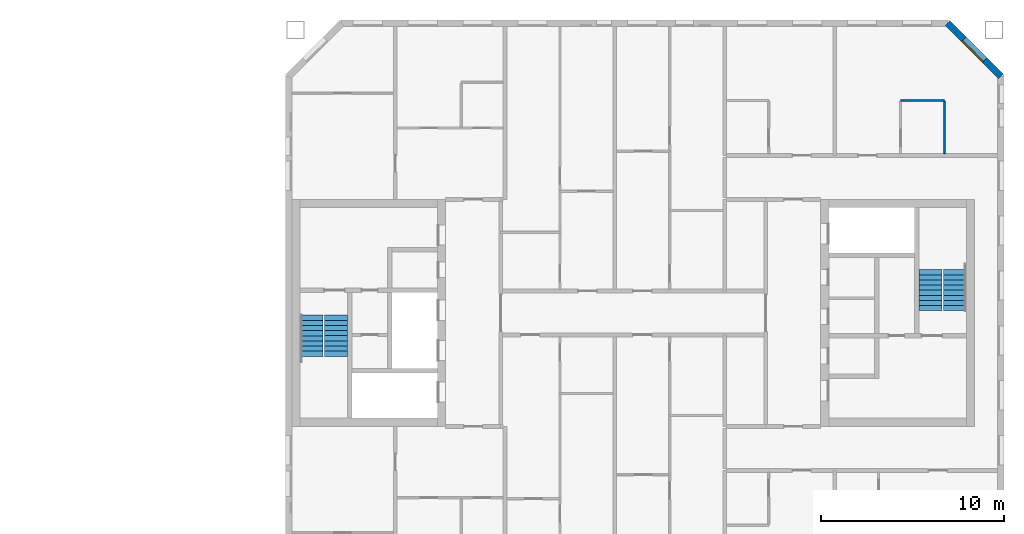
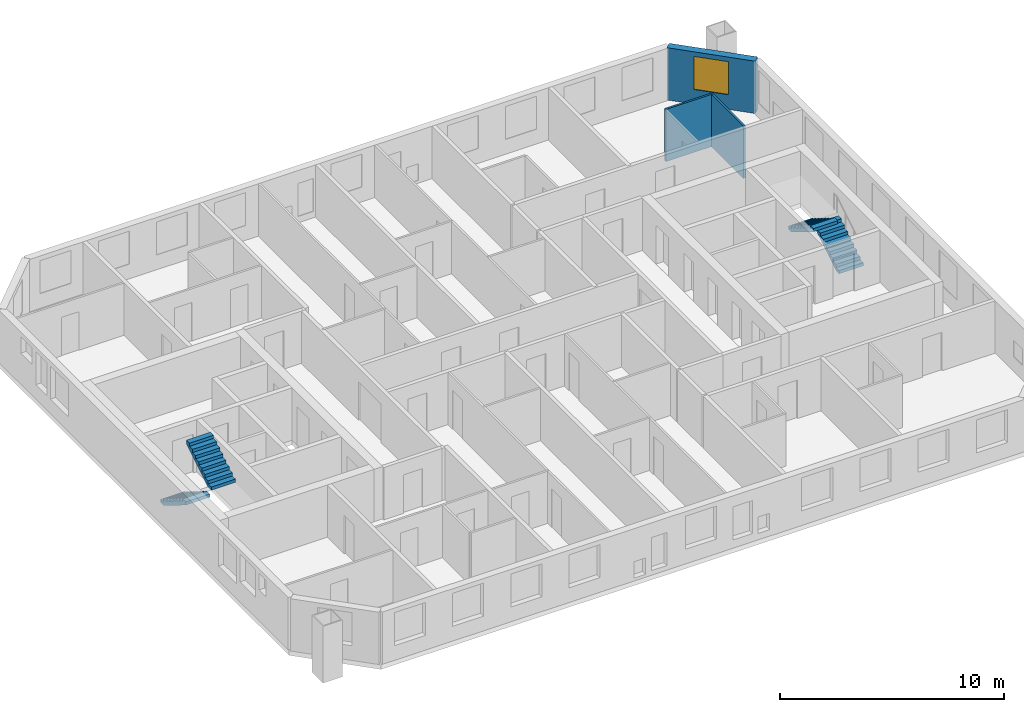
# One storey, part 13 of 15: 4 stair flights, 3 walls, 1 window, 1 opening, 2 elements without a shape of their own.
"""IFC4 building model written with IfcOpenShell, lengths in metres."""

from ifc_helpers import new_model, si_unit, direction, frame, frame_2d, origin, place, context, subcontext, project, spatial, polyline, rectangle, outline, extrude, material, layer, layer_set, type_object, element, fill, aggregate, save


model = new_model("IFC4")

# Units and contexts
model_context = context("Model", 3, precision=1e-05, world=origin(), true_north=direction((0.0, 1.0)))
body_context = subcontext(model_context, "Body", "Model", "MODEL_VIEW")
ifc_project = project(units=[si_unit("LENGTHUNIT", "METRE"), si_unit("AREAUNIT", "SQUARE_METRE"), si_unit("VOLUMEUNIT", "CUBIC_METRE"), si_unit("PLANEANGLEUNIT", "RADIAN"), si_unit("MASSUNIT", "GRAM", prefix="KILO")], contexts=[model_context])

# Site, building, storey
site_placement = place(None, origin())
site = spatial("IfcSite", under=ifc_project, at=site_placement, CompositionType="ELEMENT")
building_placement = place(site_placement, origin())
building = spatial("IfcBuilding", under=site, at=building_placement, Name="Tuart Gate Housing", CompositionType="ELEMENT")
storey_placement = place(building_placement, frame((0.0, 0.0, 188.199951171875)))
storey = spatial("IfcBuildingStorey", under=building, at=storey_placement, Name="L53", CompositionType="ELEMENT", Elevation=188.199951171875)

# Wall, opening, window
ifc_material_1 = material(Name="Brick", Category="masonry")
ifc_layer_1 = layer(ifc_material_1, 0.360107421875)
ifc_layer_set_1 = layer_set([ifc_layer_1], Name="Brick pier and spandrel wall 360")
wall_type_1 = type_object("IfcWallType", Name="Brick pier and spandrel wall 360", PredefinedType="STANDARD", material=ifc_layer_set_1)
wall_1_placement = place(storey_placement, frame((170.070068359375, 82.92529296875, 0.0), z_axis=(0.0, 0.0, 1.0), x_axis=(-0.707106781187, 0.707106781187, 0.0)))
wall_1 = element("IfcWall", 1, at=wall_1_placement, inside=storey, type_object=wall_type_1, Name="External wall B-NE L53", PredefinedType="STANDARD", context=body_context, shape_type="SweptSolid", body=[
    extrude(rectangle(XDim=4.09375, YDim=0.360107421875, at=frame_2d((2.046875, 0.0))), origin(), (0.0, 0.0, 1.0), 2.85009765625),
])
opening_placement = place(wall_1_placement, frame((1.2470703125, 0.0, 0.800048828125)))
opening = element("IfcOpeningElement", 2, at=opening_placement, cuts=wall_1, Name="Opening W1", PredefinedType="OPENING", context=body_context, shape_type="SweptSolid", body=[
    extrude(rectangle(XDim=1.60009765625, YDim=1.800048828125, at=frame_2d((0.800048828125, 0.89990234375))), frame((0.0, 0.18994140625, 0.0), z_axis=(0.0, -1.0, 0.0), x_axis=(1.0, 0.0, 0.0)), (0.0, 0.0, 1.0), 0.380126953125),
])
ifc_material_2 = material(Name="Aluminium frame with clear glass", Category="aluminium")
window_type = type_object("IfcWindowType", Name="Punched window 1600 x 1800", PartitioningType="SINGLE_PANEL", PredefinedType="WINDOW", material=ifc_material_2)
window_placement = place(opening_placement, origin())
window = element("IfcWindow", 3, at=window_placement, inside=storey, type_object=window_type, Name="Window W1", OverallHeight=1.800048828125, OverallWidth=1.60009765625, PartitioningType="SINGLE_PANEL", PredefinedType="WINDOW", context=body_context, shape_type="SweptSolid", body=[
    extrude(rectangle(XDim=1.60009765625, YDim=1.800048828125, at=frame_2d((0.800048828125, 0.89990234375))), frame((0.0, 0.150146484375, 0.0), z_axis=(0.0, -1.0, 0.0), x_axis=(1.0, 0.0, 0.0)), (0.0, 0.0, 1.0), 0.06005859375),
])
fill(opening, window)

# Walls
ifc_material_3 = material(Name="Gypsum board on steel studs", Category="steel")
ifc_layer_2 = layer(ifc_material_3, 0.10009765625)
ifc_layer_set_2 = layer_set([ifc_layer_2], Name="Partition 100")
wall_type_2 = type_object("IfcWallType", Name="Partition 100", PredefinedType="PARTITIONING", material=ifc_layer_set_2)
wall_2_placement = place(storey_placement, frame((164.60009765625, 81.60009765625, 0.0), z_axis=(0.0, 0.0, 1.0), x_axis=(1.0, 0.0, 0.0)))
element("IfcWall", 4, at=wall_2_placement, inside=storey, type_object=wall_type_2, Name="Partition 100", PredefinedType="PARTITIONING", context=body_context, shape_type="SweptSolid", body=[
    extrude(rectangle(XDim=2.39990234375, YDim=0.10009765625, at=frame_2d((1.199951171875, 0.0))), origin(), (0.0, 0.0, 1.0), 2.85009765625),
])
wall_3_placement = place(storey_placement, frame((167.0, 78.699951171875, 0.0), z_axis=(0.0, 0.0, 1.0), x_axis=(0.0, 1.0, 0.0)))
element("IfcWall", 5, at=wall_3_placement, inside=storey, type_object=wall_type_2, Name="Partition 100", PredefinedType="PARTITIONING", context=body_context, shape_type="SweptSolid", body=[
    extrude(rectangle(XDim=2.85009765625, YDim=0.10009765625, at=frame_2d((1.425048828125, 0.0))), origin(), (0.0, 0.0, 1.0), 2.85009765625),
])

# Stair, stair flights
ifc_material_4 = material(Name="Concrete C40", Category="concrete")
stair_type = type_object("IfcStairType", Name="Core stair 1250", PredefinedType="HALF_TURN_STAIR", material=ifc_material_4)
stair_1_placement = place(storey_placement, origin())
stair_1 = element("IfcStair", 6, at=stair_1_placement, inside=storey, type_object=stair_type, Name="Stair SB1", PredefinedType="HALF_TURN_STAIR")
ifc_material_5 = material(Name="Concrete C40", Category="concrete")
stair_flight_type = type_object("IfcStairFlightType", Name="Stair flight 1250, 9 risers 172 x 280", PredefinedType="STRAIGHT", material=ifc_material_5)
stair_flight_1_placement = place(storey_placement, frame((132.43505859375, 69.875, 0.0), z_axis=(0.0, 0.0, 1.0), x_axis=(0.0, -1.0, 0.0)))
stair_flight_1 = element("IfcStairFlight", 7, at=stair_flight_1_placement, type_object=stair_flight_type, Name="SB1 flight 1", NumberOfRisers=9, NumberOfTreads=8, PredefinedType="STRAIGHT", RiserHeight=0.172222222, TreadLength=0.28, context=body_context, shape_type="SweptSolid", body=[
    extrude(outline(polyline([(0.0, 0.0), (0.0, 0.172119140625), (0.280029296875, 0.172119140625), (0.280029296875, 0.344482421875), (0.56005859375, 0.344482421875), (0.56005859375, 0.5166015625), (0.840087890625, 0.5166015625), (0.840087890625, 0.68896484375), (1.1201171875, 0.68896484375), (1.1201171875, 0.861083984375), (1.39990234375, 0.861083984375), (1.39990234375, 1.033447265625), (1.679931640625, 1.033447265625), (1.679931640625, 1.20556640625), (1.9599609375, 1.20556640625), (1.9599609375, 1.377685546875), (2.239990234375, 1.377685546875), (2.239990234375, 1.550048828125), (2.239990234375, 1.201904296875), (0.2861328125, 0.0), (0.0, 0.0)])), frame((0.0, 0.625, 0.0), z_axis=(0.0, -1.0, 0.0), x_axis=(1.0, 0.0, 0.0)), (0.0, 0.0, 1.0), 1.25),
])
stair_flight_2_placement = place(storey_placement, frame((133.760009765625, 67.635009765625, 1.550048828125), z_axis=(0.0, 0.0, 1.0), x_axis=(0.0, 1.0, 0.0)))
stair_flight_2 = element("IfcStairFlight", 8, at=stair_flight_2_placement, type_object=stair_flight_type, Name="SB1 flight 2", NumberOfRisers=9, NumberOfTreads=8, PredefinedType="STRAIGHT", RiserHeight=0.172222222, TreadLength=0.28, context=body_context, shape_type="SweptSolid", body=[
    extrude(outline(polyline([(0.0, 0.0), (0.0, 0.172119140625), (0.280029296875, 0.172119140625), (0.280029296875, 0.344482421875), (0.56005859375, 0.344482421875), (0.56005859375, 0.5166015625), (0.840087890625, 0.5166015625), (0.840087890625, 0.68896484375), (1.1201171875, 0.68896484375), (1.1201171875, 0.861083984375), (1.39990234375, 0.861083984375), (1.39990234375, 1.033447265625), (1.679931640625, 1.033447265625), (1.679931640625, 1.20556640625), (1.9599609375, 1.20556640625), (1.9599609375, 1.377685546875), (2.239990234375, 1.377685546875), (2.239990234375, 1.550048828125), (2.239990234375, 1.201904296875), (0.2861328125, 0.0), (0.0, 0.0)])), frame((0.0, 0.625, 0.0), z_axis=(0.0, -1.0, 0.0), x_axis=(1.0, 0.0, 0.0)), (0.0, 0.0, 1.0), 1.25),
])
aggregate(stair_1, [stair_flight_1, stair_flight_2])

stair_2_placement = place(storey_placement, origin())
stair_2 = element("IfcStair", 9, at=stair_2_placement, inside=storey, type_object=stair_type, Name="Stair SB2", PredefinedType="HALF_TURN_STAIR")
stair_flight_3_placement = place(storey_placement, frame((167.56494140625, 70.125, 0.0), z_axis=(0.0, 0.0, 1.0), x_axis=(0.0, 1.0, 0.0)))
stair_flight_3 = element("IfcStairFlight", 10, at=stair_flight_3_placement, type_object=stair_flight_type, Name="SB2 flight 1", NumberOfRisers=9, NumberOfTreads=8, PredefinedType="STRAIGHT", RiserHeight=0.172222222, TreadLength=0.28, context=body_context, shape_type="SweptSolid", body=[
    extrude(outline(polyline([(0.0, 0.0), (0.0, 0.172119140625), (0.280029296875, 0.172119140625), (0.280029296875, 0.344482421875), (0.56005859375, 0.344482421875), (0.56005859375, 0.5166015625), (0.840087890625, 0.5166015625), (0.840087890625, 0.68896484375), (1.1201171875, 0.68896484375), (1.1201171875, 0.861083984375), (1.39990234375, 0.861083984375), (1.39990234375, 1.033447265625), (1.679931640625, 1.033447265625), (1.679931640625, 1.20556640625), (1.9599609375, 1.20556640625), (1.9599609375, 1.377685546875), (2.239990234375, 1.377685546875), (2.239990234375, 1.550048828125), (2.239990234375, 1.201904296875), (0.2861328125, 0.0), (0.0, 0.0)])), frame((0.0, 0.625, 0.0), z_axis=(0.0, -1.0, 0.0), x_axis=(1.0, 0.0, 0.0)), (0.0, 0.0, 1.0), 1.25),
])
stair_flight_4_placement = place(storey_placement, frame((166.239990234375, 72.364990234375, 1.550048828125), z_axis=(0.0, 0.0, 1.0), x_axis=(0.0, -1.0, 0.0)))
stair_flight_4 = element("IfcStairFlight", 11, at=stair_flight_4_placement, type_object=stair_flight_type, Name="SB2 flight 2", NumberOfRisers=9, NumberOfTreads=8, PredefinedType="STRAIGHT", RiserHeight=0.172222222, TreadLength=0.28, context=body_context, shape_type="SweptSolid", body=[
    extrude(outline(polyline([(0.0, 0.0), (0.0, 0.172119140625), (0.280029296875, 0.172119140625), (0.280029296875, 0.344482421875), (0.56005859375, 0.344482421875), (0.56005859375, 0.5166015625), (0.840087890625, 0.5166015625), (0.840087890625, 0.68896484375), (1.1201171875, 0.68896484375), (1.1201171875, 0.861083984375), (1.39990234375, 0.861083984375), (1.39990234375, 1.033447265625), (1.679931640625, 1.033447265625), (1.679931640625, 1.20556640625), (1.9599609375, 1.20556640625), (1.9599609375, 1.377685546875), (2.239990234375, 1.377685546875), (2.239990234375, 1.550048828125), (2.239990234375, 1.201904296875), (0.2861328125, 0.0), (0.0, 0.0)])), frame((0.0, 0.625, 0.0), z_axis=(0.0, -1.0, 0.0), x_axis=(1.0, 0.0, 0.0)), (0.0, 0.0, 1.0), 1.25),
])
aggregate(stair_2, [stair_flight_3, stair_flight_4])

save(model, "model.ifc")
